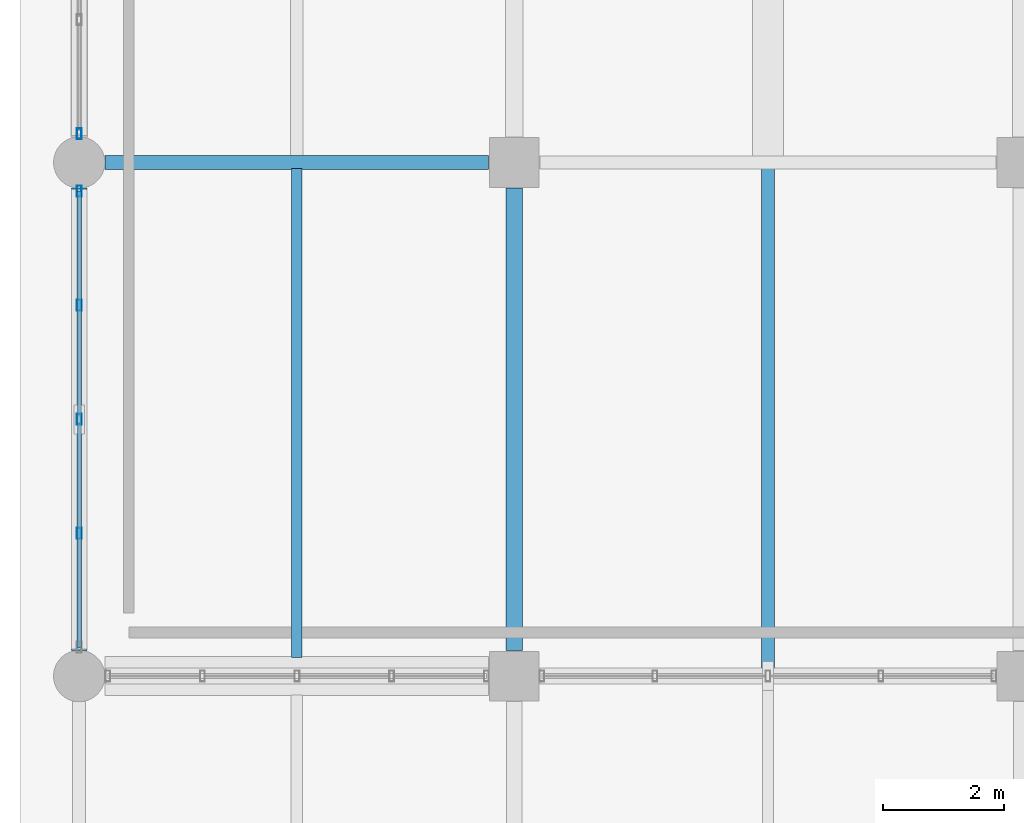
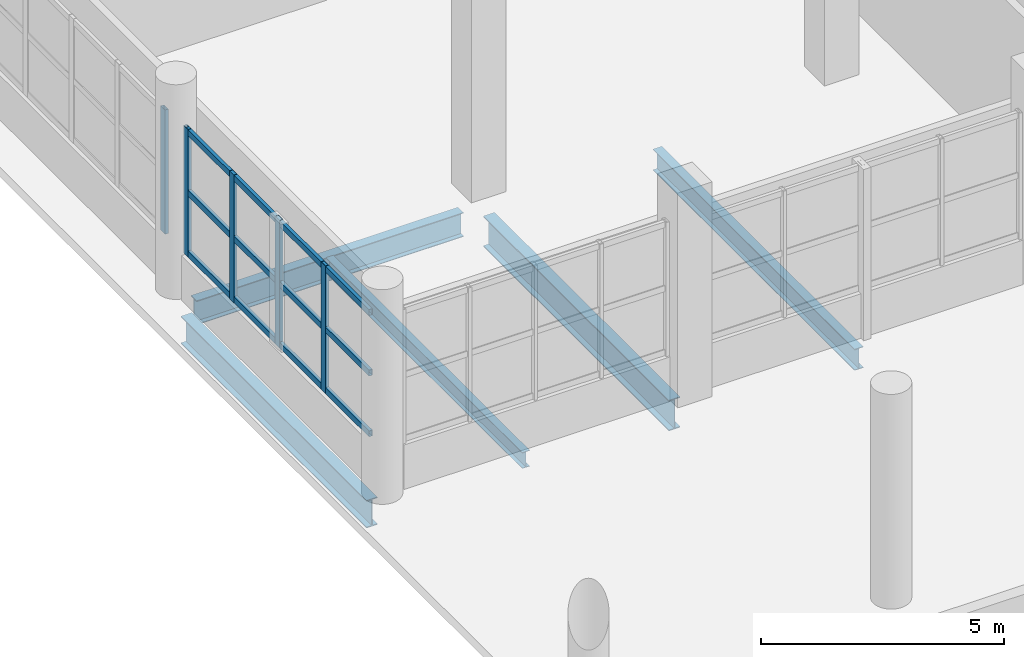
# One storey, part 22 of 107: 8 members, 5 beams, 2 elements without a shape of their own.
"""IFC4 building model written with IfcOpenShell, lengths in metres."""

from ifc_helpers import new_model, si_unit, direction, frame, origin, origin_2d, place, context, subcontext, project, spatial, hollow_rectangle, i_section, extrude, material, material_profile, profile_set, type_object, element, aggregate, save


model = new_model("IFC4")

# Units and contexts
model_context = context("Model", 3, precision=1e-05, world=origin(), true_north=direction((0.0, 1.0)))
body_context = subcontext(model_context, "Body", "Model", "MODEL_VIEW")
ifc_project = project(units=[si_unit("LENGTHUNIT", "METRE"), si_unit("AREAUNIT", "SQUARE_METRE"), si_unit("VOLUMEUNIT", "CUBIC_METRE"), si_unit("PLANEANGLEUNIT", "RADIAN"), si_unit("MASSUNIT", "GRAM", prefix="KILO")], contexts=[model_context])

# Site, building, storey
site_placement = place(None, origin())
site = spatial("IfcSite", under=ifc_project, at=site_placement, CompositionType="ELEMENT")
building_placement = place(site_placement, origin())
building = spatial("IfcBuilding", under=site, at=building_placement, Name="Solvento Point Concert Hall", CompositionType="ELEMENT")
storey_placement = place(building_placement, origin())
storey = spatial("IfcBuildingStorey", under=building, at=storey_placement, Name="L00", CompositionType="ELEMENT", Elevation=0.0)

# Beams
ifc_material_1 = material(Name="Structural Steel ASTM A992 Grade 50", Category="steel")
ifc_material_profile_1 = material_profile(ifc_material_1, i_section(OverallWidth=0.20947265625, OverallDepth=0.532958984375, WebThickness=0.01025390625, FlangeThickness=0.015625, at=origin_2d()), Name="W21X62")
ifc_profile_set_1 = profile_set([ifc_material_profile_1], Name="Structural Steel ASTM A992 Grade 50")
beam_type_1 = type_object("IfcBeamType", Name="Beam_W21X62", PredefinedType="BEAM", material=ifc_profile_set_1)
beam_1_placement = place(storey_placement, frame((11.39990234375, 110.59912109375, -0.680419921875), z_axis=(0.0, 1.0, 0.0), x_axis=(-1.0, 0.0, 0.0)))
element("IfcBeam", 1, at=beam_1_placement, inside=storey, type_object=beam_type_1, Name="Secondary floor joist B-25 L00", PredefinedType="BEAM", context=body_context, shape_type="SweptSolid", body=[
    extrude(i_section(OverallWidth=0.20947265625, OverallDepth=0.532958984375, WebThickness=0.01025390625, FlangeThickness=0.015625, at=origin_2d()), origin(), (0.0, 0.0, 1.0), 8.308837890625),
])
ifc_material_2 = material(Name="Structural Steel ASTM A992 Grade 50", Category="steel")
ifc_material_profile_2 = material_profile(ifc_material_2, i_section(OverallWidth=0.228515625, OverallDepth=0.60791015625, WebThickness=0.01123046875, FlangeThickness=0.017333984375, at=origin_2d()), Name="W24X76")
ifc_profile_set_2 = profile_set([ifc_material_profile_2], Name="Structural Steel ASTM A992 Grade 50")
beam_type_2 = type_object("IfcBeamType", Name="Beam_W24X76", PredefinedType="BEAM", material=ifc_profile_set_2)
beam_2_placement = place(storey_placement, frame((0.424072265625, 119.0, -0.718017578125), z_axis=(1.0, 0.0, 0.0), x_axis=(0.0, 1.0, 0.0)))
element("IfcBeam", 2, at=beam_2_placement, inside=storey, type_object=beam_type_2, Name="Primary girder B-42 L00", PredefinedType="BEAM", context=body_context, shape_type="SweptSolid", body=[
    extrude(i_section(OverallWidth=0.228515625, OverallDepth=0.60791015625, WebThickness=0.01123046875, FlangeThickness=0.017333984375, at=origin_2d()), origin(), (0.0, 0.0, 1.0), 6.351806640625),
])
ifc_material_3 = material(Name="Structural Steel ASTM A992 Grade 50", Category="steel")
ifc_material_profile_3 = material_profile(ifc_material_3, i_section(OverallWidth=0.256103515625, OverallDepth=0.693115234375, WebThickness=0.014404296875, FlangeThickness=0.023681640625, at=origin_2d()), Name="W27X114")
ifc_profile_set_3 = profile_set([ifc_material_profile_3], Name="Structural Steel ASTM A992 Grade 50")
beam_type_3 = type_object("IfcBeamType", Name="Girder_W27X114", PredefinedType="USERDEFINED", material=ifc_profile_set_3)
beam_3_placement = place(storey_placement, frame((0.0, 110.924072265625, -0.760498046875), z_axis=(0.0, 1.0, 0.0), x_axis=(-1.0, 0.0, 0.0)))
element("IfcBeam", 3, at=beam_3_placement, inside=storey, type_object=beam_type_3, Name="Primary girder B-23 L00", ObjectType="GIRDER", PredefinedType="USERDEFINED", context=body_context, shape_type="SweptSolid", body=[
    extrude(i_section(OverallWidth=0.256103515625, OverallDepth=0.693115234375, WebThickness=0.014404296875, FlangeThickness=0.023681640625, at=origin_2d()), origin(), (0.0, 0.0, 1.0), 7.65185546875),
])
ifc_material_4 = material(Name="Structural Steel ASTM A992 Grade 50", Category="steel")
ifc_material_profile_4 = material_profile(ifc_material_4, i_section(OverallWidth=0.26806640625, OverallDepth=0.77001953125, WebThickness=0.015625, FlangeThickness=0.025390625, at=origin_2d()), Name="W30X132")
ifc_profile_set_4 = profile_set([ifc_material_profile_4], Name="Structural Steel ASTM A992 Grade 50")
beam_type_4 = type_object("IfcBeamType", Name="Girder_W30X132", PredefinedType="USERDEFINED", material=ifc_profile_set_4)
beam_4_placement = place(storey_placement, frame((7.199951171875, 110.924072265625, -0.799072265625), z_axis=(0.0, 1.0, 0.0), x_axis=(-1.0, 0.0, 0.0)))
element("IfcBeam", 4, at=beam_4_placement, inside=storey, type_object=beam_type_4, Name="Primary girder B-68 L00", ObjectType="GIRDER", PredefinedType="USERDEFINED", context=body_context, shape_type="SweptSolid", body=[
    extrude(i_section(OverallWidth=0.26806640625, OverallDepth=0.77001953125, WebThickness=0.015625, FlangeThickness=0.025390625, at=origin_2d()), origin(), (0.0, 0.0, 1.0), 7.65185546875),
])
ifc_material_5 = material(Name="Structural Steel ASTM A992 Grade 50", Category="steel")
ifc_material_profile_5 = material_profile(ifc_material_5, i_section(OverallWidth=0.177490234375, OverallDepth=0.403076171875, WebThickness=0.007568359375, FlangeThickness=0.010986328125, at=origin_2d()), Name="W16X36")
ifc_profile_set_5 = profile_set([ifc_material_profile_5], Name="Structural Steel ASTM A992 Grade 50")
beam_type_5 = type_object("IfcBeamType", Name="Joist_W16X36", PredefinedType="JOIST", material=ifc_profile_set_5)
beam_5_placement = place(storey_placement, frame((3.60009765625, 110.81005859375, -0.615478515625), z_axis=(0.0, 1.0, 0.0), x_axis=(-1.0, 0.0, 0.0)))
element("IfcBeam", 5, at=beam_5_placement, inside=storey, type_object=beam_type_5, Name="Secondary floor joist B-30 L00", PredefinedType="JOIST", context=body_context, shape_type="SweptSolid", body=[
    extrude(i_section(OverallWidth=0.177490234375, OverallDepth=0.403076171875, WebThickness=0.007568359375, FlangeThickness=0.010986328125, at=origin_2d()), origin(), (0.0, 0.0, 1.0), 8.0908203125),
])

# Curtain wall, members
ifc_material_6 = material(Name="Anodized Bronze Aluminium", Category="aluminium")
curtain_wall_type = type_object("IfcCurtainWallType", Name="CurtainWall_CourtPilotis", PredefinedType="USERDEFINED", material=ifc_material_6)
curtain_wall_1_placement = place(storey_placement, origin())
curtain_wall_1 = element("IfcCurtainWall", 6, at=curtain_wall_1_placement, inside=storey, type_object=curtain_wall_type, Name="Unitised curtain wall CW-96 UCW-L00-070", ObjectType="UNITISED CURTAIN WALL", PredefinedType="USERDEFINED")
ifc_material_7 = material(Name="Anodized Bronze Aluminium", Category="aluminium")
ifc_material_profile_6 = material_profile(ifc_material_7, hollow_rectangle(XDim=0.080078125, YDim=0.179931640625, WallThickness=0.00390625, at=origin_2d()), Name="CW-MUL-80X180")
ifc_profile_set_6 = profile_set([ifc_material_profile_6], Name="Anodized Bronze Aluminium")
member_type_1 = type_object("IfcMemberType", Name="Mullion_80x180", PredefinedType="MULLION", material=ifc_profile_set_6)
member_1_placement = place(storey_placement, frame((0.0, 112.862548828125, 1.1201171875), z_axis=(0.0, 0.0, 1.0), x_axis=(1.0, 0.0, 0.0)))
member_1 = element("IfcMember", 7, at=member_1_placement, type_object=member_type_1, Name="Curtain wall mullion ML-01", PredefinedType="MULLION", context=body_context, shape_type="SweptSolid", body=[
    extrude(hollow_rectangle(XDim=0.080078125, YDim=0.179931640625, WallThickness=0.00390625, at=origin_2d()), origin(), (0.0, 0.0, 1.0), 3.2138671875),
])
member_2_placement = place(storey_placement, frame((0.0, 114.75, 1.1201171875), z_axis=(0.0, 0.0, 1.0), x_axis=(1.0, 0.0, 0.0)))
member_2 = element("IfcMember", 8, at=member_2_placement, type_object=member_type_1, Name="Curtain wall mullion ML-01", PredefinedType="MULLION", context=body_context, shape_type="SweptSolid", body=[
    extrude(hollow_rectangle(XDim=0.080078125, YDim=0.179931640625, WallThickness=0.00390625, at=origin_2d()), origin(), (0.0, 0.0, 1.0), 3.2138671875),
])
member_3_placement = place(storey_placement, frame((0.0, 116.637451171875, 1.1201171875), z_axis=(0.0, 0.0, 1.0), x_axis=(1.0, 0.0, 0.0)))
member_3 = element("IfcMember", 9, at=member_3_placement, type_object=member_type_1, Name="Curtain wall mullion ML-01", PredefinedType="MULLION", context=body_context, shape_type="SweptSolid", body=[
    extrude(hollow_rectangle(XDim=0.080078125, YDim=0.179931640625, WallThickness=0.00390625, at=origin_2d()), origin(), (0.0, 0.0, 1.0), 3.2138671875),
])
member_4_placement = place(storey_placement, frame((0.0, 118.52490234375, 1.1201171875), z_axis=(0.0, 0.0, 1.0), x_axis=(1.0, 0.0, 0.0)))
member_4 = element("IfcMember", 10, at=member_4_placement, type_object=member_type_1, Name="Curtain wall mullion ML-01", PredefinedType="MULLION", context=body_context, shape_type="SweptSolid", body=[
    extrude(hollow_rectangle(XDim=0.080078125, YDim=0.179931640625, WallThickness=0.00390625, at=origin_2d()), origin(), (0.0, 0.0, 1.0), 3.2138671875),
])

# Curtain wall, member
curtain_wall_2_placement = place(storey_placement, origin())
curtain_wall_2 = element("IfcCurtainWall", 11, at=curtain_wall_2_placement, inside=storey, type_object=curtain_wall_type, Name="Unitised curtain wall CW-96 UCW-L00-071", ObjectType="UNITISED CURTAIN WALL", PredefinedType="USERDEFINED")
member_5_placement = place(storey_placement, frame((0.0, 119.47509765625, 1.1201171875), z_axis=(0.0, 0.0, 1.0), x_axis=(1.0, 0.0, 0.0)))
member_5 = element("IfcMember", 12, at=member_5_placement, type_object=member_type_1, Name="Curtain wall mullion ML-01", PredefinedType="MULLION", context=body_context, shape_type="SweptSolid", body=[
    extrude(hollow_rectangle(XDim=0.080078125, YDim=0.179931640625, WallThickness=0.00390625, at=origin_2d()), origin(), (0.0, 0.0, 1.0), 3.125),
])
aggregate(curtain_wall_2, [member_5])

# Member
ifc_material_8 = material(Name="Anodized Bronze Aluminium", Category="aluminium")
ifc_material_profile_7 = material_profile(ifc_material_8, hollow_rectangle(XDim=0.080078125, YDim=0.14990234375, WallThickness=0.00390625, at=origin_2d()), Name="CW-TRN-80X150")
ifc_profile_set_7 = profile_set([ifc_material_profile_7], Name="Anodized Bronze Aluminium")
member_type_2 = type_object("IfcMemberType", Name="Transom_80x150", PredefinedType="USERDEFINED", material=ifc_profile_set_7)
member_6_placement = place(storey_placement, frame((0.0, 110.97509765625, 1.199951171875), z_axis=(0.0, 1.0, 0.0), x_axis=(-1.0, 0.0, 0.0)))
member_6 = element("IfcMember", 13, at=member_6_placement, type_object=member_type_2, Name="Curtain wall transom TR-01", ObjectType="TRANSOM", PredefinedType="USERDEFINED", context=body_context, shape_type="SweptSolid", body=[
    extrude(hollow_rectangle(XDim=0.080078125, YDim=0.14990234375, WallThickness=0.00390625, at=origin_2d()), origin(), (0.0, 0.0, 1.0), 7.5498046875),
])

member_7_placement = place(storey_placement, frame((0.0, 110.97509765625, 2.72705078125), z_axis=(0.0, 1.0, 0.0), x_axis=(-1.0, 0.0, 0.0)))
member_7 = element("IfcMember", 14, at=member_7_placement, type_object=member_type_2, Name="Curtain wall transom TR-01", ObjectType="TRANSOM", PredefinedType="USERDEFINED", context=body_context, shape_type="SweptSolid", body=[
    extrude(hollow_rectangle(XDim=0.080078125, YDim=0.14990234375, WallThickness=0.00390625, at=origin_2d()), origin(), (0.0, 0.0, 1.0), 7.5498046875),
])

member_8_placement = place(storey_placement, frame((0.0, 110.97509765625, 4.25390625), z_axis=(0.0, 1.0, 0.0), x_axis=(-1.0, 0.0, 0.0)))
member_8 = element("IfcMember", 15, at=member_8_placement, type_object=member_type_2, Name="Curtain wall transom TR-01", ObjectType="TRANSOM", PredefinedType="USERDEFINED", context=body_context, shape_type="SweptSolid", body=[
    extrude(hollow_rectangle(XDim=0.080078125, YDim=0.14990234375, WallThickness=0.00390625, at=origin_2d()), origin(), (0.0, 0.0, 1.0), 7.5498046875),
])

aggregate(curtain_wall_1, [member_1, member_2, member_3, member_4, member_6, member_7, member_8])

save(model, "model.ifc")
